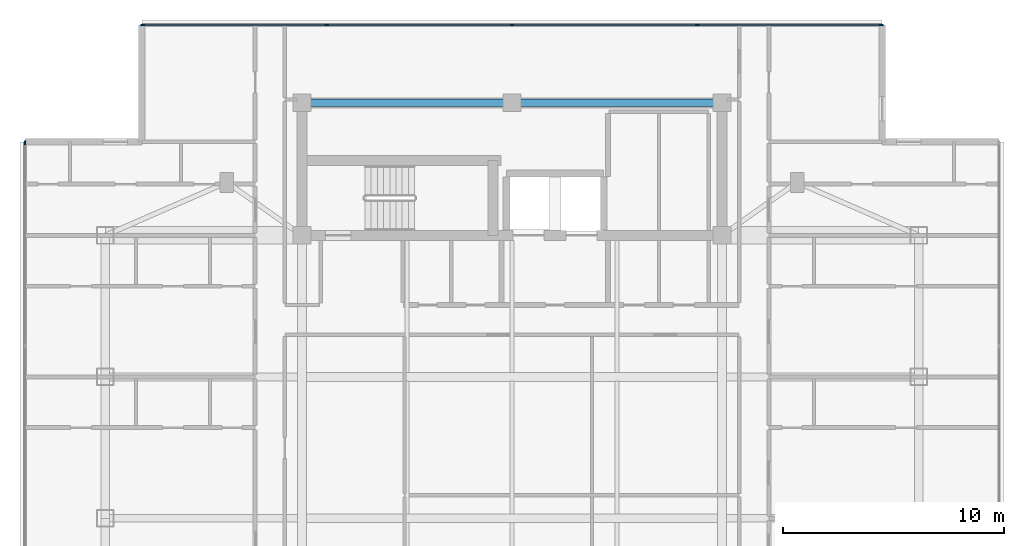
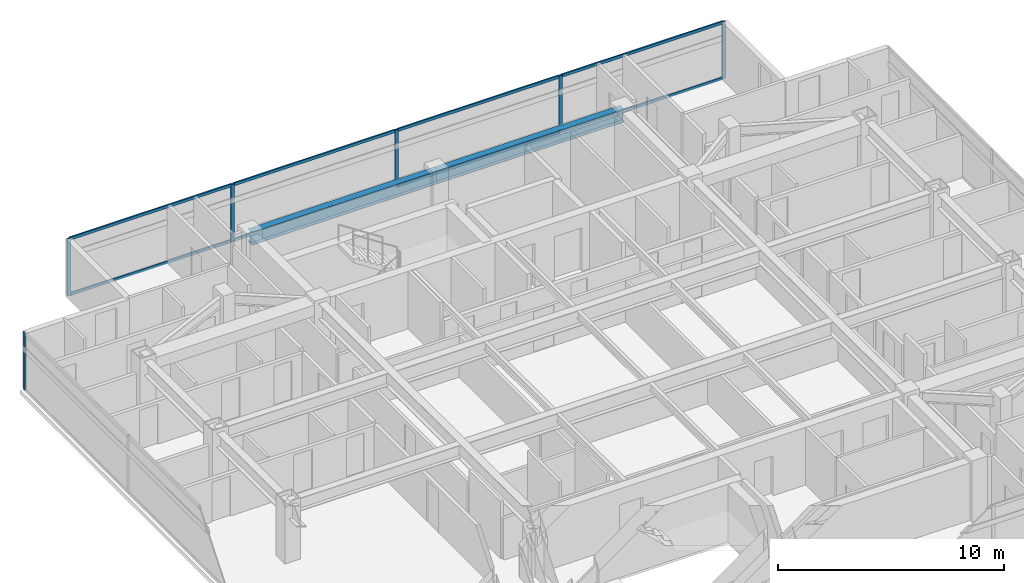
# One storey, part 5 of 14: 14 members, 2 beams, 2 elements without a shape of their own.
"""IFC4 building model written with IfcOpenShell, lengths in metres."""

from ifc_helpers import new_model, si_unit, direction, frame, origin, origin_2d, place, context, subcontext, project, spatial, rectangle, i_section, extrude, material, material_profile, profile_set, type_object, element, aggregate, save


model = new_model("IFC4")

# Units and contexts
model_context = context("Model", 3, precision=1e-05, world=origin(), true_north=direction((0.0, 1.0)))
body_context = subcontext(model_context, "Body", "Model", "MODEL_VIEW")
ifc_project = project(units=[si_unit("LENGTHUNIT", "METRE"), si_unit("AREAUNIT", "SQUARE_METRE"), si_unit("VOLUMEUNIT", "CUBIC_METRE"), si_unit("PLANEANGLEUNIT", "RADIAN"), si_unit("MASSUNIT", "GRAM", prefix="KILO")], contexts=[model_context])

# Site, building, storey
site_placement = place(None, origin())
site = spatial("IfcSite", under=ifc_project, at=site_placement, CompositionType="ELEMENT")
building_placement = place(site_placement, origin())
building = spatial("IfcBuilding", under=site, at=building_placement, Name="Mirazonda Arch Towers", CompositionType="ELEMENT")
storey_placement = place(building_placement, frame((0.0, 0.0, 242.5)))
storey = spatial("IfcBuildingStorey", under=building, at=storey_placement, Name="L69", CompositionType="ELEMENT", Elevation=242.5)

# Beams
ifc_material_1 = material(Name="Steel ASTM A992 Grade 50", Category="steel")
ifc_material_profile_1 = material_profile(ifc_material_1, i_section(OverallWidth=0.35498046875, OverallDepth=0.696044921875, WebThickness=0.015380859375, FlangeThickness=0.02490234375, at=origin_2d()), Name="W27X146")
ifc_profile_set_1 = profile_set([ifc_material_profile_1], Name="Steel ASTM A992 Grade 50")
beam_type = type_object("IfcBeamType", Name="BM-INT-W27X146", PredefinedType="BEAM", material=ifc_profile_set_1)
for number, where, z_axis, x_axis, name in (
    (1, (11.0, 43.60009765625, 2.751953125), (1.0, 0.0, 0.0), (0.0, 1.0, 0.0), "L69 Floor Beam BM-T1-L69-CN1"),
    (2, (20.5, 43.60009765625, 2.751953125), (1.0, 0.0, 0.0), (0.0, 1.0, 0.0), "L69 Floor Beam BM-T1-L69-CN2"),
):
    element("IfcBeam", number, at=place(storey_placement, frame(where, z_axis=z_axis, x_axis=x_axis)), inside=storey, type_object=beam_type, Name=name, PredefinedType="BEAM", context=body_context, shape_type="SweptSolid", body=[
        extrude(i_section(OverallWidth=0.35498046875, OverallDepth=0.696044921875, WebThickness=0.015380859375, FlangeThickness=0.02490234375, at=origin_2d()), origin(), (0.0, 0.0, 1.0), 9.5),
    ])

# Curtain wall, members
ifc_material_2 = material(Name="Anodised Aluminium and Low-E Glass", Category="aluminium")
curtain_wall_type = type_object("IfcCurtainWallType", Name="CW-RES-UNIT", PredefinedType="NOTDEFINED", material=ifc_material_2)
curtain_wall_1_placement = place(storey_placement, origin())
curtain_wall_1 = element("IfcCurtainWall", 3, at=curtain_wall_1_placement, inside=storey, type_object=curtain_wall_type, Name="L69 T1 N Facade CW-L69-T1-N", PredefinedType="NOTDEFINED")
ifc_material_3 = material(Name="Anodised Aluminium Alloy", Category="aluminium")
ifc_material_profile_2 = material_profile(ifc_material_3, rectangle(XDim=0.074951171875, YDim=0.175048828125, at=origin_2d()), Name="ALU-MULL-75x175")
ifc_profile_set_2 = profile_set([ifc_material_profile_2], Name="Anodised Aluminium Alloy")
member_type_1 = type_object("IfcMemberType", Name="MULL-CW-RES-UNIT", PredefinedType="MULLION", material=ifc_profile_set_2)
member_1_placement = place(storey_placement, frame((3.78759765625, 47.1259765625, 0.0), z_axis=(0.0, 0.0, 1.0), x_axis=(0.0, 1.0, 0.0)))
member_1 = element("IfcMember", 4, at=member_1_placement, type_object=member_type_1, Name="CW-104 mullion 1", PredefinedType="MULLION", context=body_context, shape_type="SweptSolid", body=[
    extrude(rectangle(XDim=0.074951171875, YDim=0.175048828125, at=origin_2d()), origin(), (0.0, 0.0, 1.0), 3.080078125),
])
member_2_placement = place(storey_placement, frame((12.125, 47.1259765625, 0.0), z_axis=(0.0, 0.0, 1.0), x_axis=(0.0, 1.0, 0.0)))
member_2 = element("IfcMember", 5, at=member_2_placement, type_object=member_type_1, Name="CW-104 mullion 2", PredefinedType="MULLION", context=body_context, shape_type="SweptSolid", body=[
    extrude(rectangle(XDim=0.074951171875, YDim=0.175048828125, at=origin_2d()), origin(), (0.0, 0.0, 1.0), 3.080078125),
])
member_3_placement = place(storey_placement, frame((20.5, 47.1259765625, 0.0), z_axis=(0.0, 0.0, 1.0), x_axis=(0.0, 1.0, 0.0)))
member_3 = element("IfcMember", 6, at=member_3_placement, type_object=member_type_1, Name="CW-104 mullion 3", PredefinedType="MULLION", context=body_context, shape_type="SweptSolid", body=[
    extrude(rectangle(XDim=0.074951171875, YDim=0.175048828125, at=origin_2d()), origin(), (0.0, 0.0, 1.0), 3.080078125),
])
member_4_placement = place(storey_placement, frame((28.875, 47.1259765625, 0.0), z_axis=(0.0, 0.0, 1.0), x_axis=(0.0, 1.0, 0.0)))
member_4 = element("IfcMember", 7, at=member_4_placement, type_object=member_type_1, Name="CW-104 mullion 4", PredefinedType="MULLION", context=body_context, shape_type="SweptSolid", body=[
    extrude(rectangle(XDim=0.074951171875, YDim=0.175048828125, at=origin_2d()), origin(), (0.0, 0.0, 1.0), 3.080078125),
])
member_5_placement = place(storey_placement, frame((37.21240234375, 47.1259765625, 0.0), z_axis=(0.0, 0.0, 1.0), x_axis=(0.0, 1.0, 0.0)))
member_5 = element("IfcMember", 8, at=member_5_placement, type_object=member_type_1, Name="CW-104 mullion 5", PredefinedType="MULLION", context=body_context, shape_type="SweptSolid", body=[
    extrude(rectangle(XDim=0.074951171875, YDim=0.175048828125, at=origin_2d()), origin(), (0.0, 0.0, 1.0), 3.080078125),
])

# Curtain wall, member
curtain_wall_2_placement = place(storey_placement, origin())
curtain_wall_2 = element("IfcCurtainWall", 9, at=curtain_wall_2_placement, inside=storey, type_object=curtain_wall_type, Name="L69 T1 W Facade CW-L69-T1-W", PredefinedType="NOTDEFINED")
member_6_placement = place(storey_placement, frame((-1.5400390625, 41.798583984375, 0.0), z_axis=(0.0, 0.0, 1.0), x_axis=(1.0, 0.0, 0.0)))
member_6 = element("IfcMember", 10, at=member_6_placement, type_object=member_type_1, Name="CW-104 mullion 1", PredefinedType="MULLION", context=body_context, shape_type="SweptSolid", body=[
    extrude(rectangle(XDim=0.074951171875, YDim=0.175048828125, at=origin_2d()), origin(), (0.0, 0.0, 1.0), 3.080078125),
])
aggregate(curtain_wall_2, [member_6])

# Member
ifc_material_profile_3 = material_profile(ifc_material_3, rectangle(XDim=0.074951171875, YDim=0.155029296875, at=origin_2d()), Name="ALU-TRAN-75x155")
ifc_profile_set_3 = profile_set([ifc_material_profile_3], Name="Anodised Aluminium Alloy")
member_type_2 = type_object("IfcMemberType", Name="TRAN-CW-RES-UNIT", PredefinedType="USERDEFINED", material=ifc_profile_set_3)
member_7_placement = place(storey_placement, frame((3.824951171875, 47.1259765625, 0.03759765625), z_axis=(1.0, 0.0, 0.0), x_axis=(0.0, 1.0, 0.0)))
member_7 = element("IfcMember", 11, at=member_7_placement, type_object=member_type_2, Name="CW-104 transom 1.1", ObjectType="TRANSOM", PredefinedType="USERDEFINED", context=body_context, shape_type="SweptSolid", body=[
    extrude(rectangle(XDim=0.074951171875, YDim=0.155029296875, at=origin_2d()), origin(), (0.0, 0.0, 1.0), 8.262451171875),
])

member_8_placement = place(storey_placement, frame((3.824951171875, 47.1259765625, 3.04248046875), z_axis=(1.0, 0.0, 0.0), x_axis=(0.0, 1.0, 0.0)))
member_8 = element("IfcMember", 12, at=member_8_placement, type_object=member_type_2, Name="CW-104 transom 1.2", ObjectType="TRANSOM", PredefinedType="USERDEFINED", context=body_context, shape_type="SweptSolid", body=[
    extrude(rectangle(XDim=0.074951171875, YDim=0.155029296875, at=origin_2d()), origin(), (0.0, 0.0, 1.0), 8.262451171875),
])

member_9_placement = place(storey_placement, frame((12.16259765625, 47.1259765625, 0.03759765625), z_axis=(1.0, 0.0, 0.0), x_axis=(0.0, 1.0, 0.0)))
member_9 = element("IfcMember", 13, at=member_9_placement, type_object=member_type_2, Name="CW-104 transom 2.1", ObjectType="TRANSOM", PredefinedType="USERDEFINED", context=body_context, shape_type="SweptSolid", body=[
    extrude(rectangle(XDim=0.074951171875, YDim=0.155029296875, at=origin_2d()), origin(), (0.0, 0.0, 1.0), 8.2998046875),
])

member_10_placement = place(storey_placement, frame((12.16259765625, 47.1259765625, 3.04248046875), z_axis=(1.0, 0.0, 0.0), x_axis=(0.0, 1.0, 0.0)))
member_10 = element("IfcMember", 14, at=member_10_placement, type_object=member_type_2, Name="CW-104 transom 2.2", ObjectType="TRANSOM", PredefinedType="USERDEFINED", context=body_context, shape_type="SweptSolid", body=[
    extrude(rectangle(XDim=0.074951171875, YDim=0.155029296875, at=origin_2d()), origin(), (0.0, 0.0, 1.0), 8.2998046875),
])

member_11_placement = place(storey_placement, frame((20.53759765625, 47.1259765625, 0.03759765625), z_axis=(1.0, 0.0, 0.0), x_axis=(0.0, 1.0, 0.0)))
member_11 = element("IfcMember", 15, at=member_11_placement, type_object=member_type_2, Name="CW-104 transom 3.1", ObjectType="TRANSOM", PredefinedType="USERDEFINED", context=body_context, shape_type="SweptSolid", body=[
    extrude(rectangle(XDim=0.074951171875, YDim=0.155029296875, at=origin_2d()), origin(), (0.0, 0.0, 1.0), 8.2998046875),
])

member_12_placement = place(storey_placement, frame((20.53759765625, 47.1259765625, 3.04248046875), z_axis=(1.0, 0.0, 0.0), x_axis=(0.0, 1.0, 0.0)))
member_12 = element("IfcMember", 16, at=member_12_placement, type_object=member_type_2, Name="CW-104 transom 3.2", ObjectType="TRANSOM", PredefinedType="USERDEFINED", context=body_context, shape_type="SweptSolid", body=[
    extrude(rectangle(XDim=0.074951171875, YDim=0.155029296875, at=origin_2d()), origin(), (0.0, 0.0, 1.0), 8.2998046875),
])

member_13_placement = place(storey_placement, frame((28.91259765625, 47.1259765625, 0.03759765625), z_axis=(1.0, 0.0, 0.0), x_axis=(0.0, 1.0, 0.0)))
member_13 = element("IfcMember", 17, at=member_13_placement, type_object=member_type_2, Name="CW-104 transom 4.1", ObjectType="TRANSOM", PredefinedType="USERDEFINED", context=body_context, shape_type="SweptSolid", body=[
    extrude(rectangle(XDim=0.074951171875, YDim=0.155029296875, at=origin_2d()), origin(), (0.0, 0.0, 1.0), 8.262451171875),
])

member_14_placement = place(storey_placement, frame((28.91259765625, 47.1259765625, 3.04248046875), z_axis=(1.0, 0.0, 0.0), x_axis=(0.0, 1.0, 0.0)))
member_14 = element("IfcMember", 18, at=member_14_placement, type_object=member_type_2, Name="CW-104 transom 4.2", ObjectType="TRANSOM", PredefinedType="USERDEFINED", context=body_context, shape_type="SweptSolid", body=[
    extrude(rectangle(XDim=0.074951171875, YDim=0.155029296875, at=origin_2d()), origin(), (0.0, 0.0, 1.0), 8.262451171875),
])

aggregate(curtain_wall_1, [member_1, member_2, member_3, member_4, member_5, member_7, member_8, member_9, member_10, member_11, member_12, member_13, member_14])

save(model, "model.ifc")
